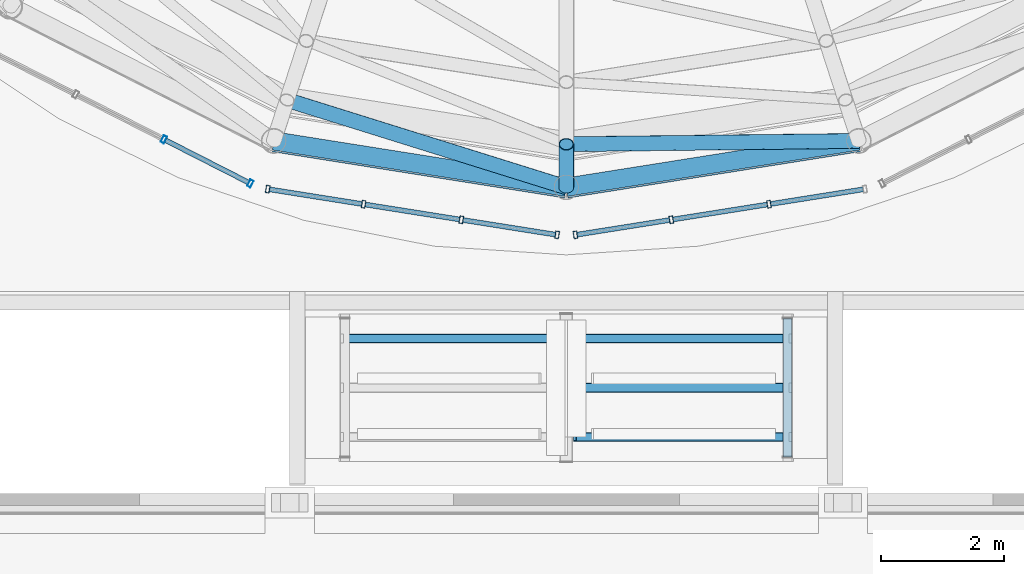
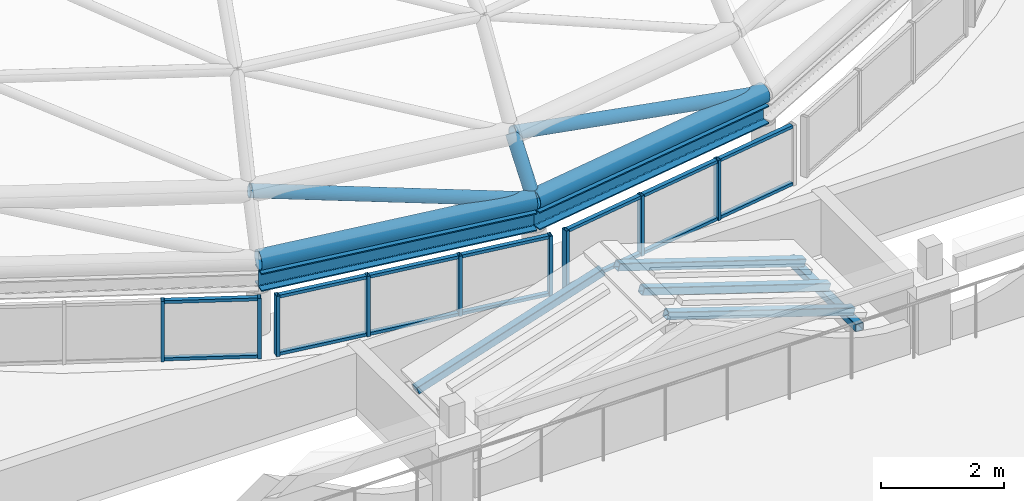
# One storey, part 16 of 69: 33 members, 2 beams, 3 elements without a shape of their own.
"""IFC4 building model written with IfcOpenShell, lengths in metres."""

from ifc_helpers import new_model, si_unit, direction, frame, origin, origin_2d, place, context, subcontext, project, spatial, hollow_rectangle, hollow_circle, i_section, extrude, material, layer, layer_set, material_profile, profile_set, type_object, element, aggregate, save


model = new_model("IFC4")

# Units and contexts
model_context = context("Model", 3, precision=1e-05, world=origin(), true_north=direction((0.0, 1.0)))
body_context = subcontext(model_context, "Body", "Model", "MODEL_VIEW")
ifc_project = project(units=[si_unit("LENGTHUNIT", "METRE"), si_unit("AREAUNIT", "SQUARE_METRE"), si_unit("VOLUMEUNIT", "CUBIC_METRE"), si_unit("PLANEANGLEUNIT", "RADIAN"), si_unit("MASSUNIT", "GRAM", prefix="KILO")], contexts=[model_context])

# Site, building, storey
site_placement = place(None, origin())
site = spatial("IfcSite", under=ifc_project, at=site_placement, CompositionType="ELEMENT")
building_placement = place(site_placement, origin())
building = spatial("IfcBuilding", under=site, at=building_placement, Name="Kallimachos Central Library", CompositionType="ELEMENT")
storey_placement = place(building_placement, frame((0.0, 0.0, 23.39990234375)))
storey = spatial("IfcBuildingStorey", under=building, at=storey_placement, Name="L05", CompositionType="ELEMENT", Elevation=23.39990234375)

# Members
ifc_material_1 = material(Name="Steel S355J2H", Category="steel")
ifc_material_profile_1 = material_profile(ifc_material_1, hollow_circle(Radius=0.122314453125, WallThickness=0.012451171875, at=origin_2d()), Name="CHS 244.5x12.5")
ifc_profile_set_1 = profile_set([ifc_material_profile_1], Name="Steel S355J2H")
member_type_1 = type_object("IfcMemberType", Name="CHS 244.5x12.5 dome diagonal", PredefinedType="BRACE", material=ifc_profile_set_1)
for number, where, z_axis, x_axis, name in (
    (1, (83.45751953125, 90.41943359375, 2.27783203125), (0.937865766204, -0.293064149452, -0.185798839849), (0.29825746715, 0.954485454729, 0.0), "Dome diagonal DD-7-14"),
    (2, (88.0, 89.699951171875, 2.27783203125), (0.982525251914, 0.011089449796, -0.185798690671), (-0.011285962884, 0.999936311493, 0.0), "Dome diagonal DD-7-15"),
):
    element("IfcMember", number, at=place(storey_placement, frame(where, z_axis=z_axis, x_axis=x_axis)), inside=storey, type_object=member_type_1, Name=name, PredefinedType="BRACE", context=body_context, shape_type="SweptSolid", body=[
        extrude(hollow_circle(Radius=0.122314453125, WallThickness=0.012451171875, at=origin_2d()), origin(), (0.0, 0.0, 1.0), 4.843505859375),
    ])
ifc_material_2 = material(Name="Steel S355J2H", Category="steel")
ifc_material_profile_2 = material_profile(ifc_material_2, hollow_circle(Radius=0.122314453125, WallThickness=0.012451171875, at=origin_2d()), Name="CHS 244.5x12.5")
ifc_profile_set_2 = profile_set([ifc_material_profile_2], Name="Steel S355J2H")
member_type_2 = type_object("IfcMemberType", Name="CHS 244.5x12.5 dome rib", PredefinedType="RAFTER", material=ifc_profile_set_2)
member_1_placement = place(storey_placement, frame((88.0, 89.699951171875, 2.27783203125), z_axis=(0.0, -0.613955438871, -0.78934068632), x_axis=(1.0, 0.0, 0.0)))
element("IfcMember", 3, at=member_1_placement, inside=storey, type_object=member_type_2, Name="Dome rib DR-7-15", PredefinedType="RAFTER", context=body_context, shape_type="SweptSolid", body=[
    extrude(hollow_circle(Radius=0.122314453125, WallThickness=0.012451171875, at=origin_2d()), origin(), (0.0, 0.0, 1.0), 1.14013671875),
])
ifc_material_3 = material(Name="Steel S355J2H", Category="steel")
ifc_material_profile_3 = material_profile(ifc_material_3, hollow_circle(Radius=0.177734375, WallThickness=0.008056640625, at=origin_2d()), Name="CHS 355.6x8")
ifc_profile_set_3 = profile_set([ifc_material_profile_3], Name="Steel S355J2H")
member_type_3 = type_object("IfcMemberType", Name="CHS 355.6x8 dome ring", PredefinedType="PURLIN", material=ifc_profile_set_3)
for number, where, z_axis, x_axis, name in (
    (4, (83.2412109375, 89.753662109375, 1.3779296875), (0.987690137413, -0.156423119957, 0.0), (0.156423119957, 0.987690137413, 0.0), "Dome ring DN-8-14"),
    (5, (88.0, 89.0, 1.3779296875), (0.987690137413, 0.156423119957, 0.0), (-0.156423119957, 0.987690137413, 0.0), "Dome ring DN-8-15"),
):
    element("IfcMember", number, at=place(storey_placement, frame(where, z_axis=z_axis, x_axis=x_axis)), inside=storey, type_object=member_type_3, Name=name, PredefinedType="PURLIN", context=body_context, shape_type="SweptSolid", body=[
        extrude(hollow_circle(Radius=0.177734375, WallThickness=0.008056640625, at=origin_2d()), origin(), (0.0, 0.0, 1.0), 4.818115234375),
    ])

# Curtain wall, members
ifc_material_4 = material(Name="Anodised aluminium and laminated glass", Category="aluminium")
ifc_layer = layer(ifc_material_4, 0.159912109375)
ifc_layer_set = layer_set([ifc_layer], Name="Glass box curtain wall")
curtain_wall_type = type_object("IfcCurtainWallType", Name="Glass box curtain wall", PredefinedType="NOTDEFINED", material=ifc_layer_set)
curtain_wall_1_placement = place(storey_placement, origin())
curtain_wall_1 = element("IfcCurtainWall", 6, at=curtain_wall_1_placement, inside=storey, type_object=curtain_wall_type, Name="Drum clerestory facet 14", PredefinedType="NOTDEFINED")
ifc_material_5 = material(Name="Anodised aluminium", Category="aluminium")
ifc_material_profile_4 = material_profile(ifc_material_5, hollow_rectangle(XDim=0.06005859375, YDim=0.1201171875, WallThickness=0.00390625, at=origin_2d()), Name="ALU MULLION 60x120")
ifc_profile_set_4 = profile_set([ifc_material_profile_4], Name="Anodised aluminium")
member_type_4 = type_object("IfcMemberType", Name="Glass box mullion 60x120", PredefinedType="MULLION", material=ifc_profile_set_4)
member_2_placement = place(storey_placement, frame((81.453125, 89.778564453125, 0.0), z_axis=(0.0, 0.0, 1.0), x_axis=(0.891006369337, -0.453990803653, 0.0)))
member_2 = element("IfcMember", 7, at=member_2_placement, type_object=member_type_4, Name="CW48 mullion 3", PredefinedType="MULLION", context=body_context, shape_type="SweptSolid", body=[
    extrude(hollow_rectangle(XDim=0.06005859375, YDim=0.1201171875, WallThickness=0.00390625, at=origin_2d()), origin(), (0.0, 0.0, 1.0), 1.2001953125),
])
member_3_placement = place(storey_placement, frame((82.8603515625, 89.0615234375, 0.0), z_axis=(0.0, 0.0, 1.0), x_axis=(0.891006369337, -0.453990803653, 0.0)))
member_3 = element("IfcMember", 8, at=member_3_placement, type_object=member_type_4, Name="CW48 mullion 4", PredefinedType="MULLION", context=body_context, shape_type="SweptSolid", body=[
    extrude(hollow_rectangle(XDim=0.06005859375, YDim=0.1201171875, WallThickness=0.00390625, at=origin_2d()), origin(), (0.0, 0.0, 1.0), 1.2001953125),
])

curtain_wall_2_placement = place(storey_placement, origin())
curtain_wall_2 = element("IfcCurtainWall", 9, at=curtain_wall_2_placement, inside=storey, type_object=curtain_wall_type, Name="Drum clerestory facet 15", PredefinedType="NOTDEFINED")
member_4_placement = place(storey_placement, frame((83.142333984375, 88.969970703125, 0.0), z_axis=(0.0, 0.0, 1.0), x_axis=(0.987688202185, -0.156435338924, 0.0)))
member_4 = element("IfcMember", 10, at=member_4_placement, type_object=member_type_4, Name="CW49 mullion 1", PredefinedType="MULLION", context=body_context, shape_type="SweptSolid", body=[
    extrude(hollow_rectangle(XDim=0.06005859375, YDim=0.1201171875, WallThickness=0.00390625, at=origin_2d()), origin(), (0.0, 0.0, 1.0), 1.2001953125),
])
member_5_placement = place(storey_placement, frame((84.7021484375, 88.722900390625, 0.0), z_axis=(0.0, 0.0, 1.0), x_axis=(0.987688202185, -0.156435338924, 0.0)))
member_5 = element("IfcMember", 11, at=member_5_placement, type_object=member_type_4, Name="CW49 mullion 2", PredefinedType="MULLION", context=body_context, shape_type="SweptSolid", body=[
    extrude(hollow_rectangle(XDim=0.06005859375, YDim=0.1201171875, WallThickness=0.00390625, at=origin_2d()), origin(), (0.0, 0.0, 1.0), 1.2001953125),
])
member_6_placement = place(storey_placement, frame((86.291748046875, 88.47119140625, 0.0), z_axis=(0.0, 0.0, 1.0), x_axis=(0.987688202185, -0.156435338924, 0.0)))
member_6 = element("IfcMember", 12, at=member_6_placement, type_object=member_type_4, Name="CW49 mullion 3", PredefinedType="MULLION", context=body_context, shape_type="SweptSolid", body=[
    extrude(hollow_rectangle(XDim=0.06005859375, YDim=0.1201171875, WallThickness=0.00390625, at=origin_2d()), origin(), (0.0, 0.0, 1.0), 1.2001953125),
])
member_7_placement = place(storey_placement, frame((87.851806640625, 88.22412109375, 0.0), z_axis=(0.0, 0.0, 1.0), x_axis=(0.987688202185, -0.156435338924, 0.0)))
member_7 = element("IfcMember", 13, at=member_7_placement, type_object=member_type_4, Name="CW49 mullion 4", PredefinedType="MULLION", context=body_context, shape_type="SweptSolid", body=[
    extrude(hollow_rectangle(XDim=0.06005859375, YDim=0.1201171875, WallThickness=0.00390625, at=origin_2d()), origin(), (0.0, 0.0, 1.0), 1.2001953125),
])

curtain_wall_3_placement = place(storey_placement, origin())
curtain_wall_3 = element("IfcCurtainWall", 14, at=curtain_wall_3_placement, inside=storey, type_object=curtain_wall_type, Name="Drum clerestory facet 16", PredefinedType="NOTDEFINED")
member_8_placement = place(storey_placement, frame((88.148193359375, 88.22412109375, 0.0), z_axis=(0.0, 0.0, 1.0), x_axis=(0.987688202185, 0.156435338924, 0.0)))
member_8 = element("IfcMember", 15, at=member_8_placement, type_object=member_type_4, Name="CW50 mullion 1", PredefinedType="MULLION", context=body_context, shape_type="SweptSolid", body=[
    extrude(hollow_rectangle(XDim=0.06005859375, YDim=0.1201171875, WallThickness=0.00390625, at=origin_2d()), origin(), (0.0, 0.0, 1.0), 1.2001953125),
])
member_9_placement = place(storey_placement, frame((89.708251953125, 88.47119140625, 0.0), z_axis=(0.0, 0.0, 1.0), x_axis=(0.987688202185, 0.156435338924, 0.0)))
member_9 = element("IfcMember", 16, at=member_9_placement, type_object=member_type_4, Name="CW50 mullion 2", PredefinedType="MULLION", context=body_context, shape_type="SweptSolid", body=[
    extrude(hollow_rectangle(XDim=0.06005859375, YDim=0.1201171875, WallThickness=0.00390625, at=origin_2d()), origin(), (0.0, 0.0, 1.0), 1.2001953125),
])
member_10_placement = place(storey_placement, frame((91.2978515625, 88.722900390625, 0.0), z_axis=(0.0, 0.0, 1.0), x_axis=(0.987688202185, 0.156435338924, 0.0)))
member_10 = element("IfcMember", 17, at=member_10_placement, type_object=member_type_4, Name="CW50 mullion 3", PredefinedType="MULLION", context=body_context, shape_type="SweptSolid", body=[
    extrude(hollow_rectangle(XDim=0.06005859375, YDim=0.1201171875, WallThickness=0.00390625, at=origin_2d()), origin(), (0.0, 0.0, 1.0), 1.2001953125),
])

# Member
ifc_material_6 = material(Name="Anodised aluminium", Category="aluminium")
ifc_material_profile_5 = material_profile(ifc_material_6, hollow_rectangle(XDim=0.06005859375, YDim=0.080078125, WallThickness=0.00390625, at=origin_2d()), Name="ALU TRANSOM 60x80")
ifc_profile_set_5 = profile_set([ifc_material_profile_5], Name="Anodised aluminium")
member_type_5 = type_object("IfcMemberType", Name="Glass box transom 60x80", PredefinedType="USERDEFINED", material=ifc_profile_set_5)
member_11_placement = place(storey_placement, frame((81.47998046875, 89.764892578125, 0.030029296875), z_axis=(0.891027233573, -0.453949852992, 0.0), x_axis=(0.0, 0.0, 1.0)))
member_11 = element("IfcMember", 18, at=member_11_placement, type_object=member_type_5, Name="CW48 transom 3.1", ObjectType="TRANSOM", PredefinedType="USERDEFINED", context=body_context, shape_type="SweptSolid", body=[
    extrude(hollow_rectangle(XDim=0.06005859375, YDim=0.080078125, WallThickness=0.00390625, at=origin_2d()), origin(), (0.0, 0.0, 1.0), 1.519287109375),
])

member_12_placement = place(storey_placement, frame((81.47998046875, 89.764892578125, 1.170166015625), z_axis=(0.891027233573, -0.453949852992, 0.0), x_axis=(0.0, 0.0, 1.0)))
member_12 = element("IfcMember", 19, at=member_12_placement, type_object=member_type_5, Name="CW48 transom 3.2", ObjectType="TRANSOM", PredefinedType="USERDEFINED", context=body_context, shape_type="SweptSolid", body=[
    extrude(hollow_rectangle(XDim=0.06005859375, YDim=0.080078125, WallThickness=0.00390625, at=origin_2d()), origin(), (0.0, 0.0, 1.0), 1.519287109375),
])

aggregate(curtain_wall_1, [member_2, member_3, member_11, member_12])

member_13_placement = place(storey_placement, frame((83.171875, 88.96533203125, 0.030029296875), z_axis=(0.9876781389, -0.156498862419, 0.0), x_axis=(0.0, 0.0, 1.0)))
member_13 = element("IfcMember", 20, at=member_13_placement, type_object=member_type_5, Name="CW49 transom 1.1", ObjectType="TRANSOM", PredefinedType="USERDEFINED", context=body_context, shape_type="SweptSolid", body=[
    extrude(hollow_rectangle(XDim=0.06005859375, YDim=0.080078125, WallThickness=0.00390625, at=origin_2d()), origin(), (0.0, 0.0, 1.0), 1.51953125),
])

member_14_placement = place(storey_placement, frame((83.171875, 88.96533203125, 1.170166015625), z_axis=(0.9876781389, -0.156498862419, 0.0), x_axis=(0.0, 0.0, 1.0)))
member_14 = element("IfcMember", 21, at=member_14_placement, type_object=member_type_5, Name="CW49 transom 1.2", ObjectType="TRANSOM", PredefinedType="USERDEFINED", context=body_context, shape_type="SweptSolid", body=[
    extrude(hollow_rectangle(XDim=0.06005859375, YDim=0.080078125, WallThickness=0.00390625, at=origin_2d()), origin(), (0.0, 0.0, 1.0), 1.51953125),
])

member_15_placement = place(storey_placement, frame((84.73193359375, 88.71826171875, 0.030029296875), z_axis=(0.987682342586, -0.156472330279, 0.0), x_axis=(0.0, 0.0, 1.0)))
member_15 = element("IfcMember", 22, at=member_15_placement, type_object=member_type_5, Name="CW49 transom 2.1", ObjectType="TRANSOM", PredefinedType="USERDEFINED", context=body_context, shape_type="SweptSolid", body=[
    extrude(hollow_rectangle(XDim=0.06005859375, YDim=0.080078125, WallThickness=0.00390625, at=origin_2d()), origin(), (0.0, 0.0, 1.0), 1.54931640625),
])

member_16_placement = place(storey_placement, frame((84.73193359375, 88.71826171875, 1.170166015625), z_axis=(0.987682342586, -0.156472330279, 0.0), x_axis=(0.0, 0.0, 1.0)))
member_16 = element("IfcMember", 23, at=member_16_placement, type_object=member_type_5, Name="CW49 transom 2.2", ObjectType="TRANSOM", PredefinedType="USERDEFINED", context=body_context, shape_type="SweptSolid", body=[
    extrude(hollow_rectangle(XDim=0.06005859375, YDim=0.080078125, WallThickness=0.00390625, at=origin_2d()), origin(), (0.0, 0.0, 1.0), 1.54931640625),
])

member_17_placement = place(storey_placement, frame((86.321533203125, 88.46630859375, 0.030029296875), z_axis=(0.987702962927, -0.156342115329, 0.0), x_axis=(0.0, 0.0, 1.0)))
member_17 = element("IfcMember", 24, at=member_17_placement, type_object=member_type_5, Name="CW49 transom 3.1", ObjectType="TRANSOM", PredefinedType="USERDEFINED", context=body_context, shape_type="SweptSolid", body=[
    extrude(hollow_rectangle(XDim=0.06005859375, YDim=0.080078125, WallThickness=0.00390625, at=origin_2d()), origin(), (0.0, 0.0, 1.0), 1.51953125),
])

member_18_placement = place(storey_placement, frame((86.321533203125, 88.46630859375, 1.170166015625), z_axis=(0.987702962927, -0.156342115329, 0.0), x_axis=(0.0, 0.0, 1.0)))
member_18 = element("IfcMember", 25, at=member_18_placement, type_object=member_type_5, Name="CW49 transom 3.2", ObjectType="TRANSOM", PredefinedType="USERDEFINED", context=body_context, shape_type="SweptSolid", body=[
    extrude(hollow_rectangle(XDim=0.06005859375, YDim=0.080078125, WallThickness=0.00390625, at=origin_2d()), origin(), (0.0, 0.0, 1.0), 1.51953125),
])

aggregate(curtain_wall_2, [member_4, member_5, member_6, member_7, member_13, member_14, member_15, member_16, member_17, member_18])

member_19_placement = place(storey_placement, frame((88.177734375, 88.228759765625, 0.030029296875), z_axis=(0.987702962927, 0.156342115329, 0.0), x_axis=(0.0, 0.0, 1.0)))
member_19 = element("IfcMember", 26, at=member_19_placement, type_object=member_type_5, Name="CW50 transom 1.1", ObjectType="TRANSOM", PredefinedType="USERDEFINED", context=body_context, shape_type="SweptSolid", body=[
    extrude(hollow_rectangle(XDim=0.06005859375, YDim=0.080078125, WallThickness=0.00390625, at=origin_2d()), origin(), (0.0, 0.0, 1.0), 1.51953125),
])

member_20_placement = place(storey_placement, frame((88.177734375, 88.228759765625, 1.170166015625), z_axis=(0.987702962927, 0.156342115329, 0.0), x_axis=(0.0, 0.0, 1.0)))
member_20 = element("IfcMember", 27, at=member_20_placement, type_object=member_type_5, Name="CW50 transom 1.2", ObjectType="TRANSOM", PredefinedType="USERDEFINED", context=body_context, shape_type="SweptSolid", body=[
    extrude(hollow_rectangle(XDim=0.06005859375, YDim=0.080078125, WallThickness=0.00390625, at=origin_2d()), origin(), (0.0, 0.0, 1.0), 1.51953125),
])

member_21_placement = place(storey_placement, frame((89.73779296875, 88.475830078125, 0.030029296875), z_axis=(0.987682342586, 0.156472330279, 0.0), x_axis=(0.0, 0.0, 1.0)))
member_21 = element("IfcMember", 28, at=member_21_placement, type_object=member_type_5, Name="CW50 transom 2.1", ObjectType="TRANSOM", PredefinedType="USERDEFINED", context=body_context, shape_type="SweptSolid", body=[
    extrude(hollow_rectangle(XDim=0.06005859375, YDim=0.080078125, WallThickness=0.00390625, at=origin_2d()), origin(), (0.0, 0.0, 1.0), 1.54931640625),
])

member_22_placement = place(storey_placement, frame((89.73779296875, 88.475830078125, 1.170166015625), z_axis=(0.987682342586, 0.156472330279, 0.0), x_axis=(0.0, 0.0, 1.0)))
member_22 = element("IfcMember", 29, at=member_22_placement, type_object=member_type_5, Name="CW50 transom 2.2", ObjectType="TRANSOM", PredefinedType="USERDEFINED", context=body_context, shape_type="SweptSolid", body=[
    extrude(hollow_rectangle(XDim=0.06005859375, YDim=0.080078125, WallThickness=0.00390625, at=origin_2d()), origin(), (0.0, 0.0, 1.0), 1.54931640625),
])

member_23_placement = place(storey_placement, frame((91.327392578125, 88.7275390625, 0.030029296875), z_axis=(0.9876781389, 0.156498862419, 0.0), x_axis=(0.0, 0.0, 1.0)))
member_23 = element("IfcMember", 30, at=member_23_placement, type_object=member_type_5, Name="CW50 transom 3.1", ObjectType="TRANSOM", PredefinedType="USERDEFINED", context=body_context, shape_type="SweptSolid", body=[
    extrude(hollow_rectangle(XDim=0.06005859375, YDim=0.080078125, WallThickness=0.00390625, at=origin_2d()), origin(), (0.0, 0.0, 1.0), 1.51953125),
])

member_24_placement = place(storey_placement, frame((91.327392578125, 88.7275390625, 1.170166015625), z_axis=(0.9876781389, 0.156498862419, 0.0), x_axis=(0.0, 0.0, 1.0)))
member_24 = element("IfcMember", 31, at=member_24_placement, type_object=member_type_5, Name="CW50 transom 3.2", ObjectType="TRANSOM", PredefinedType="USERDEFINED", context=body_context, shape_type="SweptSolid", body=[
    extrude(hollow_rectangle(XDim=0.06005859375, YDim=0.080078125, WallThickness=0.00390625, at=origin_2d()), origin(), (0.0, 0.0, 1.0), 1.51953125),
])

aggregate(curtain_wall_3, [member_8, member_9, member_10, member_19, member_20, member_21, member_22, member_23, member_24])

# Beams
ifc_material_7 = material(Name="Steel S355J2", Category="steel")
ifc_material_profile_6 = material_profile(ifc_material_7, i_section(OverallWidth=0.300048828125, OverallDepth=0.360107421875, WebThickness=0.012451171875, FlangeThickness=0.0224609375, FilletRadius=0.027099609375, at=origin_2d()), Name="HEB 360")
ifc_profile_set_6 = profile_set([ifc_material_profile_6], Name="Steel S355J2")
beam_type = type_object("IfcBeamType", Name="HEB 360 beam", PredefinedType="BEAM", material=ifc_profile_set_6)
for number, where, z_axis, x_axis, name in (
    (32, (83.2412109375, 89.753662109375, 1.02001953125), (0.987690137413, -0.156423119957, 0.0), (0.156423119957, 0.987690137413, 0.0), "V1-BEM-L05-015"),
    (33, (88.0, 89.0, 1.02001953125), (0.987690137413, 0.156423119957, 0.0), (-0.156423119957, 0.987690137413, 0.0), "V1-BEM-L05-016"),
):
    element("IfcBeam", number, at=place(storey_placement, frame(where, z_axis=z_axis, x_axis=x_axis)), inside=storey, type_object=beam_type, Name=name, PredefinedType="BEAM", context=body_context, shape_type="SweptSolid", body=[
        extrude(i_section(OverallWidth=0.300048828125, OverallDepth=0.360107421875, WebThickness=0.012451171875, FlangeThickness=0.0224609375, FilletRadius=0.027099609375, at=origin_2d()), origin(), (0.0, 0.0, 1.0), 4.818115234375),
    ])

# Members
ifc_material_8 = material(Name="Steel S355J2H", Category="steel")
ifc_material_profile_7 = material_profile(ifc_material_8, hollow_rectangle(XDim=0.14990234375, YDim=0.14990234375, WallThickness=0.010009765625, InnerFilletRadius=0.010009765625, OuterFilletRadius=0.014892578125, at=origin_2d()), Name="SHS 150x150x10")
ifc_profile_set_7 = profile_set([ifc_material_profile_7], Name="Steel S355J2H")
member_type_6 = type_object("IfcMemberType", Name="SHS 150x150x10 eaves bearer", PredefinedType="STRINGER", material=ifc_profile_set_7)
member_25_placement = place(storey_placement, frame((91.60009765625, 84.612548828125, 0.22509765625), z_axis=(0.0, 1.0, 0.0), x_axis=(-1.0, 0.0, 0.0)))
element("IfcMember", 34, at=member_25_placement, inside=storey, type_object=member_type_6, Name="Reading Link roof eaves bearer E", PredefinedType="STRINGER", context=body_context, shape_type="SweptSolid", body=[
    extrude(hollow_rectangle(XDim=0.14990234375, YDim=0.14990234375, WallThickness=0.010009765625, InnerFilletRadius=0.010009765625, OuterFilletRadius=0.014892578125, at=origin_2d()), origin(), (0.0, 0.0, 1.0), 2.25),
])
ifc_material_9 = material(Name="Steel S355J2H", Category="steel")
ifc_material_profile_8 = material_profile(ifc_material_9, hollow_rectangle(XDim=0.14990234375, YDim=0.14990234375, WallThickness=0.010009765625, InnerFilletRadius=0.010009765625, OuterFilletRadius=0.014892578125, at=origin_2d()), Name="SHS 150x150x10")
ifc_profile_set_8 = profile_set([ifc_material_profile_8], Name="Steel S355J2H")
member_type_7 = type_object("IfcMemberType", Name="SHS 150x150x10 rafter", PredefinedType="RAFTER", material=ifc_profile_set_8)
for number, where, z_axis, x_axis, name in (
    (35, (84.35009765625, 86.53759765625, 0.36279296875), (0.951063718587, 0.0, 0.308994827121), (0.0, 1.0, 0.0), "Reading Link roof rafter"),
    (36, (91.64990234375, 84.9375, 0.36279296875), (-0.951063718587, 0.0, 0.308994827121), (0.0, -1.0, 0.0), "Reading Link roof rafter"),
    (37, (91.64990234375, 85.737548828125, 0.36279296875), (-0.951063718587, 0.0, 0.308994827121), (0.0, -1.0, 0.0), "Reading Link roof rafter"),
    (38, (91.64990234375, 86.53759765625, 0.36279296875), (-0.951063718587, 0.0, 0.308994827121), (0.0, -1.0, 0.0), "Reading Link roof rafter"),
):
    element("IfcMember", number, at=place(storey_placement, frame(where, z_axis=z_axis, x_axis=x_axis)), inside=storey, type_object=member_type_7, Name=name, PredefinedType="RAFTER", context=body_context, shape_type="SweptSolid", body=[
        extrude(hollow_rectangle(XDim=0.14990234375, YDim=0.14990234375, WallThickness=0.010009765625, InnerFilletRadius=0.010009765625, OuterFilletRadius=0.014892578125, at=origin_2d()), origin(), (0.0, 0.0, 1.0), 3.690673828125),
    ])

save(model, "model.ifc")
